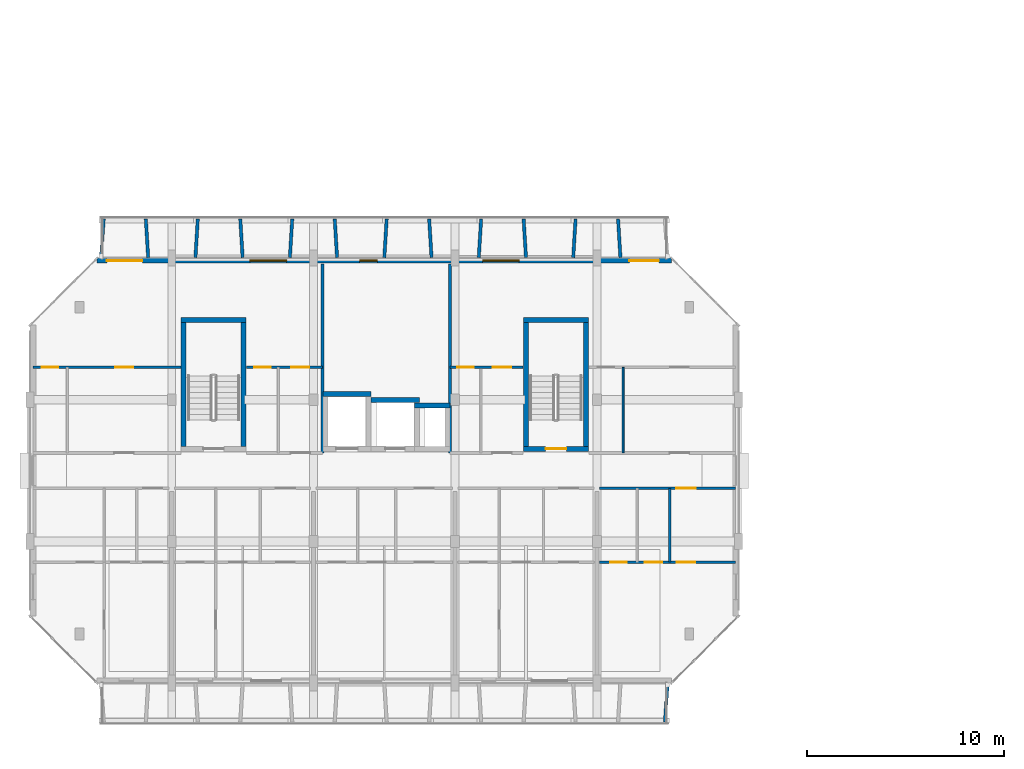
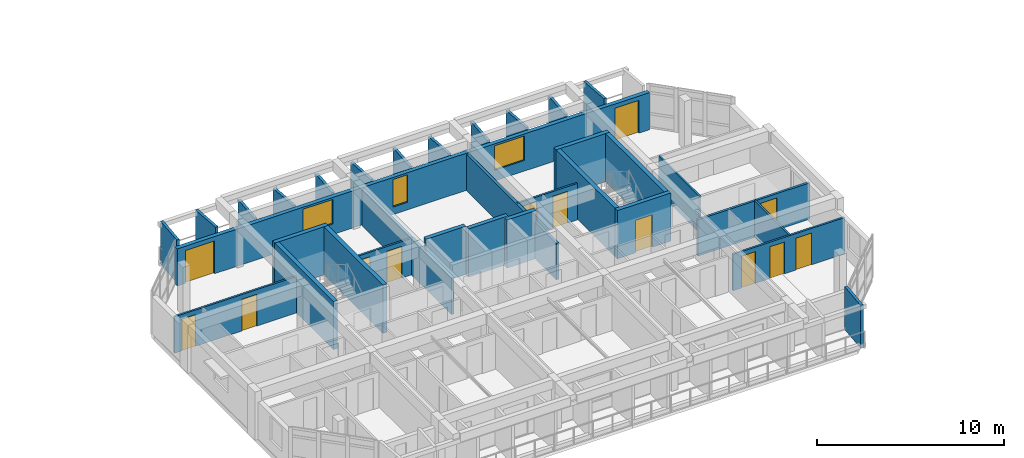
# One storey, part 19 of 46: 33 walls, 13 doors, 3 windows, 16 openings.
"""IFC4 building model written with IfcOpenShell, lengths in metres."""

from ifc_helpers import new_model, si_unit, direction, frame, frame_2d, origin, place, context, subcontext, project, spatial, rectangle, extrude, material, layer, layer_set, type_object, element, fill, save


model = new_model("IFC4")

# Units and contexts
model_context = context("Model", 3, precision=1e-05, world=origin(), true_north=direction((0.0, 1.0)))
body_context = subcontext(model_context, "Body", "Model", "MODEL_VIEW")
ifc_project = project(units=[si_unit("LENGTHUNIT", "METRE"), si_unit("AREAUNIT", "SQUARE_METRE"), si_unit("VOLUMEUNIT", "CUBIC_METRE"), si_unit("PLANEANGLEUNIT", "RADIAN"), si_unit("MASSUNIT", "GRAM", prefix="KILO")], contexts=[model_context])

# Site, building, storey
site_placement = place(None, origin())
site = spatial("IfcSite", under=ifc_project, at=site_placement, CompositionType="ELEMENT")
building_placement = place(site_placement, origin())
building = spatial("IfcBuilding", under=site, at=building_placement, Name="Ochrevale Crest", CompositionType="ELEMENT")
storey_placement = place(building_placement, frame((0.0, 0.0, 24.449951171875)))
storey = spatial("IfcBuildingStorey", under=building, at=storey_placement, Name="L07", CompositionType="ELEMENT", Elevation=24.449951171875)

# Wall, opening, door
ifc_material_1 = material(Name="Gypsum plasterboard", Category="gypsum")
ifc_layer_1 = layer(ifc_material_1, 0.139892578125)
ifc_layer_set_1 = layer_set([ifc_layer_1], Name="Gypsum plasterboard")
wall_type_1 = type_object("IfcWallType", Name="WL-COR-140", PredefinedType="PARTITIONING", material=ifc_layer_set_1)
wall_1_placement = place(storey_placement, frame((28.93994140625, 24.300048828125, 0.0), z_axis=(0.0, 0.0, 1.0), x_axis=(1.0, 0.0, 0.0)))
wall_1 = element("IfcWall", 1, at=wall_1_placement, inside=storey, type_object=wall_type_1, Name="Apartment A-L07-U5 corridor wall", PredefinedType="PARTITIONING", context=body_context, shape_type="SweptSolid", body=[
    extrude(rectangle(XDim=6.920166015625, YDim=0.139892578125, at=frame_2d((3.4599609375, 0.0))), origin(), (0.0, 0.0, 1.0), 2.380126953125),
])
opening_1_placement = place(wall_1_placement, frame((4.875, 0.0, 0.0), z_axis=(0.0, 0.0, 1.0), x_axis=(-1.0, 0.0, 0.0)))
opening_1 = element("IfcOpeningElement", 2, at=opening_1_placement, cuts=wall_1, Name="Opening FD01", PredefinedType="OPENING", context=body_context, shape_type="SweptSolid", body=[
    extrude(rectangle(XDim=0.97998046875, YDim=2.10009765625, at=frame_2d((0.489990234375, 1.050048828125))), frame((0.0, 0.080078125, 0.0), z_axis=(0.0, -1.0, 0.0), x_axis=(1.0, 0.0, 0.0)), (0.0, 0.0, 1.0), 0.159912109375),
])
ifc_material_2 = material(Name="Solid-core FSC hardwood", Category="wood")
door_type_1 = type_object("IfcDoorType", Name="DR-APT-950", OperationType="NOTDEFINED", PredefinedType="DOOR", material=ifc_material_2)
door_1_placement = place(opening_1_placement, origin())
door_1 = element("IfcDoor", 3, at=door_1_placement, inside=storey, type_object=door_type_1, Name="Apartment A-L07-U5 entrance door", OperationType="SINGLE_SWING_RIGHT", OverallHeight=2.10009765625, OverallWidth=0.97998046875, PredefinedType="DOOR", context=body_context, shape_type="SweptSolid", body=[
    extrude(rectangle(XDim=0.97998046875, YDim=2.10009765625, at=frame_2d((0.489990234375, 1.050048828125))), frame((0.0, 0.02490234375, 0.0), z_axis=(0.0, -1.0, 0.0), x_axis=(1.0, 0.0, 0.0)), (0.0, 0.0, 1.0), 0.050048828125),
])
fill(opening_1, door_1)

# Walls
ifc_material_3 = material(Name="Precast concrete C50/60", Category="concrete")
ifc_layer_2 = layer(ifc_material_3, 0.2548828125)
ifc_layer_set_2 = layer_set([ifc_layer_2], Name="Precast concrete C50/60")
wall_type_2 = type_object("IfcWallType", Name="WL-CORE-255", PredefinedType="SHEAR", material=ifc_layer_set_2)
wall_2_placement = place(storey_placement, frame((7.672607421875, 32.85009765625, 0.0), z_axis=(0.0, 0.0, 1.0), x_axis=(1.0, 0.0, 0.0)))
element("IfcWall", 4, at=wall_2_placement, inside=storey, type_object=wall_type_2, Name="Block A L07 Stair 1 precast core shear wall N", PredefinedType="SHEAR", context=body_context, shape_type="SweptSolid", body=[
    extrude(rectangle(XDim=3.304931640625, YDim=0.2548828125, at=frame_2d((1.65234375, 0.0))), origin(), (0.0, 0.0, 1.0), 3.150146484375),
])
for number, where, z_axis, x_axis, name in (
    (5, (7.800048828125, 26.427490234375, 0.0), (0.0, 0.0, 1.0), (0.0, 1.0, 0.0), "Block A L07 Stair 1 precast core shear wall W"),
    (6, (10.85009765625, 26.427490234375, 0.0), (0.0, 0.0, 1.0), (0.0, 1.0, 0.0), "Block A L07 Stair 1 precast core shear wall E"),
):
    element("IfcWall", number, at=place(storey_placement, frame(where, z_axis=z_axis, x_axis=x_axis)), inside=storey, type_object=wall_type_2, Name=name, PredefinedType="SHEAR", context=body_context, shape_type="SweptSolid", body=[
        extrude(rectangle(XDim=6.294921875, YDim=0.2548828125, at=frame_2d((3.1474609375, 0.0))), origin(), (0.0, 0.0, 1.0), 3.150146484375),
    ])

# Wall, opening, door
wall_3_placement = place(storey_placement, frame((25.072509765625, 26.300048828125, 0.0), z_axis=(0.0, 0.0, 1.0), x_axis=(1.0, 0.0, 0.0)))
wall_3 = element("IfcWall", 7, at=wall_3_placement, inside=storey, type_object=wall_type_2, Name="Block A L07 Stair 2 precast core shear wall S", PredefinedType="SHEAR", context=body_context, shape_type="SweptSolid", body=[
    extrude(rectangle(XDim=3.304931640625, YDim=0.2548828125, at=frame_2d((1.65234375, 0.0))), origin(), (0.0, 0.0, 1.0), 3.150146484375),
])
opening_2_placement = place(wall_3_placement, frame((1.12744140625, 0.0, 0.0)))
opening_2 = element("IfcOpeningElement", 8, at=opening_2_placement, cuts=wall_3, Name="Opening FD03", PredefinedType="OPENING", context=body_context, shape_type="SweptSolid", body=[
    extrude(rectangle(XDim=1.050048828125, YDim=2.1201171875, at=frame_2d((0.52490234375, 1.06005859375))), frame((0.0, 0.137451171875, 0.0), z_axis=(0.0, -1.0, 0.0), x_axis=(1.0, 0.0, 0.0)), (0.0, 0.0, 1.0), 0.27490234375),
])
door_type_2 = type_object("IfcDoorType", Name="DR-ST-1050", OperationType="NOTDEFINED", PredefinedType="DOOR", material=ifc_material_2)
door_2_placement = place(opening_2_placement, origin())
door_2 = element("IfcDoor", 9, at=door_2_placement, inside=storey, type_object=door_type_2, Name="Block A L07 fire stair 2 door", OperationType="SINGLE_SWING_LEFT", OverallHeight=2.1201171875, OverallWidth=1.050048828125, PredefinedType="DOOR", context=body_context, shape_type="SweptSolid", body=[
    extrude(rectangle(XDim=1.050048828125, YDim=2.1201171875, at=frame_2d((0.52490234375, 1.06005859375))), frame((0.0, 0.02490234375, 0.0), z_axis=(0.0, -1.0, 0.0), x_axis=(1.0, 0.0, 0.0)), (0.0, 0.0, 1.0), 0.050048828125),
])
fill(opening_2, door_2)

# Walls
wall_4_placement = place(storey_placement, frame((25.072509765625, 32.85009765625, 0.0), z_axis=(0.0, 0.0, 1.0), x_axis=(1.0, 0.0, 0.0)))
element("IfcWall", 10, at=wall_4_placement, inside=storey, type_object=wall_type_2, Name="Block A L07 Stair 2 precast core shear wall N", PredefinedType="SHEAR", context=body_context, shape_type="SweptSolid", body=[
    extrude(rectangle(XDim=3.304931640625, YDim=0.2548828125, at=frame_2d((1.65234375, 0.0))), origin(), (0.0, 0.0, 1.0), 3.150146484375),
])
for number, where, z_axis, x_axis, name in (
    (11, (25.199951171875, 26.427490234375, 0.0), (0.0, 0.0, 1.0), (0.0, 1.0, 0.0), "Block A L07 Stair 2 precast core shear wall W"),
    (12, (28.25, 26.427490234375, 0.0), (0.0, 0.0, 1.0), (0.0, 1.0, 0.0), "Block A L07 Stair 2 precast core shear wall E"),
):
    element("IfcWall", number, at=place(storey_placement, frame(where, z_axis=z_axis, x_axis=x_axis)), inside=storey, type_object=wall_type_2, Name=name, PredefinedType="SHEAR", context=body_context, shape_type="SweptSolid", body=[
        extrude(rectangle(XDim=6.294921875, YDim=0.2548828125, at=frame_2d((3.1474609375, 0.0))), origin(), (0.0, 0.0, 1.0), 3.150146484375),
    ])
wall_5_placement = place(storey_placement, frame((14.87255859375, 29.10009765625, 0.0), z_axis=(0.0, 0.0, 1.0), x_axis=(1.0, 0.0, 0.0)))
element("IfcWall", 13, at=wall_5_placement, inside=storey, type_object=wall_type_2, Name="Block A L07 Lift 1 precast shaft shear wall N", PredefinedType="SHEAR", context=body_context, shape_type="SweptSolid", body=[
    extrude(rectangle(XDim=2.454833984375, YDim=0.2548828125, at=frame_2d((1.2275390625, 0.0))), origin(), (0.0, 0.0, 1.0), 3.150146484375),
])
wall_6_placement = place(storey_placement, frame((17.322509765625, 28.800048828125, 0.0), z_axis=(0.0, 0.0, 1.0), x_axis=(1.0, 0.0, 0.0)))
element("IfcWall", 14, at=wall_6_placement, inside=storey, type_object=wall_type_2, Name="Block A L07 Lift 2 precast shaft shear wall N", PredefinedType="SHEAR", context=body_context, shape_type="SweptSolid", body=[
    extrude(rectangle(XDim=2.455078125, YDim=0.2548828125, at=frame_2d((1.2275390625, 0.0))), origin(), (0.0, 0.0, 1.0), 3.150146484375),
])
wall_7_placement = place(storey_placement, frame((19.5224609375, 28.5, 0.0), z_axis=(0.0, 0.0, 1.0), x_axis=(1.0, 0.0, 0.0)))
element("IfcWall", 15, at=wall_7_placement, inside=storey, type_object=wall_type_2, Name="Block A L07 services riser shaft core wall N", PredefinedType="SHEAR", context=body_context, shape_type="SweptSolid", body=[
    extrude(rectangle(XDim=1.804931640625, YDim=0.2548828125, at=frame_2d((0.90234375, 0.0))), origin(), (0.0, 0.0, 1.0), 3.150146484375),
])

# Wall, openings, doors, windows
ifc_material_4 = material(Name="Precast concrete C40/50", Category="concrete")
ifc_layer_3 = layer(ifc_material_4, 0.25)
ifc_layer_set_3 = layer_set([ifc_layer_3], Name="Precast concrete C40/50")
wall_type_3 = type_object("IfcWallType", Name="WL-EXT-GOLD-250", PredefinedType="SOLIDWALL", material=ifc_layer_set_3)
wall_8_placement = place(storey_placement, frame((32.60009765625, 35.875, 0.0), z_axis=(0.0, 0.0, 1.0), x_axis=(-1.0, 0.0, 0.0)))
wall_8 = element("IfcWall", 16, at=wall_8_placement, inside=storey, type_object=wall_type_3, Name="Block A L07 external facade wall E5", PredefinedType="SOLIDWALL", context=body_context, shape_type="SweptSolid", body=[
    extrude(rectangle(XDim=29.2001953125, YDim=0.25, at=frame_2d((14.60009765625, 0.0))), origin(), (0.0, 0.0, 1.0), 2.429931640625),
])
opening_3_placement = place(wall_8_placement, frame((28.699951171875, 0.0, 0.0), z_axis=(0.0, 0.0, 1.0), x_axis=(-1.0, 0.0, 0.0)))
opening_3 = element("IfcOpeningElement", 17, at=opening_3_placement, cuts=wall_8, Name="Opening BD03", PredefinedType="OPENING", context=body_context, shape_type="SweptSolid", body=[
    extrude(rectangle(XDim=1.800048828125, YDim=2.14990234375, at=frame_2d((0.89990234375, 1.074951171875))), frame((0.0, 0.135009765625, 0.0), z_axis=(0.0, -1.0, 0.0), x_axis=(1.0, 0.0, 0.0)), (0.0, 0.0, 1.0), 0.27001953125),
])
opening_4_placement = place(wall_8_placement, frame((2.14990234375, 0.0, 0.0), z_axis=(0.0, 0.0, 1.0), x_axis=(-1.0, 0.0, 0.0)))
opening_4 = element("IfcOpeningElement", 18, at=opening_4_placement, cuts=wall_8, Name="Opening BD01", PredefinedType="OPENING", context=body_context, shape_type="SweptSolid", body=[
    extrude(rectangle(XDim=1.5, YDim=2.14990234375, at=frame_2d((0.75, 1.074951171875))), frame((0.0, 0.135009765625, 0.0), z_axis=(0.0, -1.0, 0.0), x_axis=(1.0, 0.0, 0.0)), (0.0, 0.0, 1.0), 0.27001953125),
])
opening_5_placement = place(wall_8_placement, frame((14.955078125, 0.0, 0.5)))
opening_5 = element("IfcOpeningElement", 19, at=opening_5_placement, cuts=wall_8, Name="Opening W17", PredefinedType="OPENING", context=body_context, shape_type="SweptSolid", body=[
    extrude(rectangle(XDim=0.89990234375, YDim=1.800048828125, at=frame_2d((0.449951171875, 0.89990234375))), frame((0.0, 0.135009765625, 0.0), z_axis=(0.0, -1.0, 0.0), x_axis=(1.0, 0.0, 0.0)), (0.0, 0.0, 1.0), 0.27001953125),
])
opening_6_placement = place(wall_8_placement, frame((7.7451171875, 0.0, 0.699951171875)))
opening_6 = element("IfcOpeningElement", 20, at=opening_6_placement, cuts=wall_8, Name="Opening W11", PredefinedType="OPENING", context=body_context, shape_type="SweptSolid", body=[
    extrude(rectangle(XDim=1.860107421875, YDim=1.60009765625, at=frame_2d((0.93017578125, 0.800048828125))), frame((0.0, 0.135009765625, 0.0), z_axis=(0.0, -1.0, 0.0), x_axis=(1.0, 0.0, 0.0)), (0.0, 0.0, 1.0), 0.27001953125),
])
opening_7_placement = place(wall_8_placement, frame((19.570068359375, 0.0, 0.699951171875)))
opening_7 = element("IfcOpeningElement", 21, at=opening_7_placement, cuts=wall_8, Name="Opening W11", PredefinedType="OPENING", context=body_context, shape_type="SweptSolid", body=[
    extrude(rectangle(XDim=1.860107421875, YDim=1.60009765625, at=frame_2d((0.93017578125, 0.800048828125))), frame((0.0, 0.135009765625, 0.0), z_axis=(0.0, -1.0, 0.0), x_axis=(1.0, 0.0, 0.0)), (0.0, 0.0, 1.0), 0.27001953125),
])
ifc_material_5 = material(Name="Anodised aluminium 6063-T5 and toughened glass", Category="aluminium")
door_type_3 = type_object("IfcDoorType", Name="DR-BAL-1500", OperationType="NOTDEFINED", PredefinedType="DOOR", material=ifc_material_5)
door_3_placement = place(opening_4_placement, origin())
door_3 = element("IfcDoor", 22, at=door_3_placement, inside=storey, type_object=door_type_3, Name="Block A L07 balcony door N5", OperationType="SINGLE_SWING_RIGHT", OverallHeight=2.14990234375, OverallWidth=1.5, PredefinedType="DOOR", context=body_context, shape_type="SweptSolid", body=[
    extrude(rectangle(XDim=1.5, YDim=2.14990234375, at=frame_2d((0.75, 1.074951171875))), frame((0.0, 0.02490234375, 0.0), z_axis=(0.0, -1.0, 0.0), x_axis=(1.0, 0.0, 0.0)), (0.0, 0.0, 1.0), 0.050048828125),
])
fill(opening_4, door_3)
door_type_4 = type_object("IfcDoorType", Name="DR-BAL-1800", OperationType="NOTDEFINED", PredefinedType="DOOR", material=ifc_material_5)
door_4_placement = place(opening_3_placement, origin())
door_4 = element("IfcDoor", 23, at=door_4_placement, inside=storey, type_object=door_type_4, Name="Block A L07 balcony door N1", OperationType="SINGLE_SWING_LEFT", OverallHeight=2.14990234375, OverallWidth=1.800048828125, PredefinedType="DOOR", context=body_context, shape_type="SweptSolid", body=[
    extrude(rectangle(XDim=1.800048828125, YDim=2.14990234375, at=frame_2d((0.89990234375, 1.074951171875))), frame((0.0, 0.02490234375, 0.0), z_axis=(0.0, -1.0, 0.0), x_axis=(1.0, 0.0, 0.0)), (0.0, 0.0, 1.0), 0.050048828125),
])
fill(opening_3, door_4)
ifc_material_6 = material(Name="Anodised aluminium 6063-T5 and low-E double glazing", Category="aluminium")
window_type_1 = type_object("IfcWindowType", Name="WIN-W11", PartitioningType="SINGLE_PANEL", PredefinedType="WINDOW", material=ifc_material_6)
window_1_placement = place(opening_6_placement, origin())
window_1 = element("IfcWindow", 24, at=window_1_placement, inside=storey, type_object=window_type_1, Name="Block A L07 Suite A-L07-ME Garden Alcove Studio window", OverallHeight=1.60009765625, OverallWidth=1.860107421875, PartitioningType="SINGLE_PANEL", PredefinedType="WINDOW", context=body_context, shape_type="SweptSolid", body=[
    extrude(rectangle(XDim=1.860107421875, YDim=1.60009765625, at=frame_2d((0.93017578125, 0.800048828125))), frame((0.0, 0.030029296875, 0.0), z_axis=(0.0, -1.0, 0.0), x_axis=(1.0, 0.0, 0.0)), (0.0, 0.0, 1.0), 0.06005859375),
])
fill(opening_6, window_1)
window_2_placement = place(opening_7_placement, origin())
window_2 = element("IfcWindow", 25, at=window_2_placement, inside=storey, type_object=window_type_1, Name="Block A L07 Suite A-L07-MW Courtyard Studio Living window", OverallHeight=1.60009765625, OverallWidth=1.860107421875, PartitioningType="SINGLE_PANEL", PredefinedType="WINDOW", context=body_context, shape_type="SweptSolid", body=[
    extrude(rectangle(XDim=1.860107421875, YDim=1.60009765625, at=frame_2d((0.93017578125, 0.800048828125))), frame((0.0, 0.030029296875, 0.0), z_axis=(0.0, -1.0, 0.0), x_axis=(1.0, 0.0, 0.0)), (0.0, 0.0, 1.0), 0.06005859375),
])
fill(opening_7, window_2)
window_type_2 = type_object("IfcWindowType", Name="WIN-W17", PartitioningType="SINGLE_PANEL", PredefinedType="WINDOW", material=ifc_material_6)
window_3_placement = place(opening_5_placement, origin())
window_3 = element("IfcWindow", 26, at=window_3_placement, inside=storey, type_object=window_type_2, Name="Block A L07 core lancet window", OverallHeight=1.800048828125, OverallWidth=0.89990234375, PartitioningType="SINGLE_PANEL", PredefinedType="WINDOW", context=body_context, shape_type="SweptSolid", body=[
    extrude(rectangle(XDim=0.89990234375, YDim=1.800048828125, at=frame_2d((0.449951171875, 0.89990234375))), frame((0.0, 0.030029296875, 0.0), z_axis=(0.0, -1.0, 0.0), x_axis=(1.0, 0.0, 0.0)), (0.0, 0.0, 1.0), 0.06005859375),
])
fill(opening_5, window_3)

# Walls
ifc_layer_4 = layer(ifc_material_4, 0.1650390625)
ifc_layer_set_4 = layer_set([ifc_layer_4], Name="Precast concrete C40/50")
wall_type_4 = type_object("IfcWallType", Name="WL-HC-CHEEK-165", PredefinedType="ELEMENTEDWALL", material=ifc_layer_set_4)
for number, where, z_axis, x_axis, name in (
    (27, (32.39990234375, 14.3798828125, 0.0), (0.0, 0.0, 1.0), (-0.071194071069, -0.997462482625, 0.0), "Block A L07 S precast honeycomb cheek 13"),
    (28, (3.60009765625, 36.02001953125, 0.0), (0.0, 0.0, 1.0), (0.071194071069, 0.997462482625, 0.0), "Block A L07 N precast honeycomb cheek 1"),
):
    element("IfcWall", number, at=place(storey_placement, frame(where, z_axis=z_axis, x_axis=x_axis)), inside=storey, type_object=wall_type_4, Name=name, PredefinedType="ELEMENTEDWALL", context=body_context, shape_type="SweptSolid", body=[
        extrude(rectangle(XDim=1.96484375, YDim=0.1650390625, at=frame_2d((0.982421875, 0.0))), origin(), (0.0, 0.0, 1.0), 2.800048828125),
    ])
wall_9_placement = place(storey_placement, frame((6.0, 36.02001953125, 0.0), z_axis=(0.0, 0.0, 1.0), x_axis=(-0.061170732449, 0.998127317276, 0.0)))
element("IfcWall", 29, at=wall_9_placement, inside=storey, type_object=wall_type_4, Name="Block A L07 N precast honeycomb cheek 2", PredefinedType="ELEMENTEDWALL", context=body_context, shape_type="SweptSolid", body=[
    extrude(rectangle(XDim=1.963623046875, YDim=0.1650390625, at=frame_2d((0.98193359375, 0.0))), origin(), (0.0, 0.0, 1.0), 2.800048828125),
])
for number, where, z_axis, x_axis, name in (
    (30, (8.39990234375, 36.02001953125, 0.0), (0.0, 0.0, 1.0), (0.061170732449, 0.998127317276, 0.0), "Block A L07 N precast honeycomb cheek 3"),
    (31, (10.800048828125, 36.02001953125, 0.0), (0.0, 0.0, 1.0), (-0.061170732449, 0.998127317276, 0.0), "Block A L07 N precast honeycomb cheek 4"),
    (32, (13.199951171875, 36.02001953125, 0.0), (0.0, 0.0, 1.0), (0.061170732449, 0.998127317276, 0.0), "Block A L07 N precast honeycomb cheek 5"),
):
    element("IfcWall", number, at=place(storey_placement, frame(where, z_axis=z_axis, x_axis=x_axis)), inside=storey, type_object=wall_type_4, Name=name, PredefinedType="ELEMENTEDWALL", context=body_context, shape_type="SweptSolid", body=[
        extrude(rectangle(XDim=1.963623046875, YDim=0.1650390625, at=frame_2d((0.98193359375, 0.0))), origin(), (0.0, 0.0, 1.0), 2.530029296875),
    ])
for number, where, z_axis, x_axis, name in (
    (33, (15.60009765625, 36.02001953125, 0.0), (0.0, 0.0, 1.0), (-0.061170732449, 0.998127317276, 0.0), "Block A L07 N precast honeycomb cheek 6"),
    (34, (18.0, 36.02001953125, 0.0), (0.0, 0.0, 1.0), (0.061170732449, 0.998127317276, 0.0), "Block A L07 N precast honeycomb cheek 7"),
    (35, (20.39990234375, 36.02001953125, 0.0), (0.0, 0.0, 1.0), (-0.061046865508, 0.998134900808, 0.0), "Block A L07 N precast honeycomb cheek 8"),
):
    element("IfcWall", number, at=place(storey_placement, frame(where, z_axis=z_axis, x_axis=x_axis)), inside=storey, type_object=wall_type_4, Name=name, PredefinedType="ELEMENTEDWALL", context=body_context, shape_type="SweptSolid", body=[
        extrude(rectangle(XDim=1.963623046875, YDim=0.1650390625, at=frame_2d((0.98193359375, 0.0))), origin(), (0.0, 0.0, 1.0), 2.550048828125),
    ])
for number, where, z_axis, x_axis, name in (
    (36, (22.800048828125, 36.02001953125, 0.0), (0.0, 0.0, 1.0), (0.061046865508, 0.998134900808, 0.0), "Block A L07 N precast honeycomb cheek 9"),
    (37, (25.199951171875, 36.02001953125, 0.0), (0.0, 0.0, 1.0), (-0.061046865508, 0.998134900808, 0.0), "Block A L07 N precast honeycomb cheek 10"),
    (38, (27.60009765625, 36.02001953125, 0.0), (0.0, 0.0, 1.0), (0.061046865508, 0.998134900808, 0.0), "Block A L07 N precast honeycomb cheek 11"),
):
    element("IfcWall", number, at=place(storey_placement, frame(where, z_axis=z_axis, x_axis=x_axis)), inside=storey, type_object=wall_type_4, Name=name, PredefinedType="ELEMENTEDWALL", context=body_context, shape_type="SweptSolid", body=[
        extrude(rectangle(XDim=1.963623046875, YDim=0.1650390625, at=frame_2d((0.98193359375, 0.0))), origin(), (0.0, 0.0, 1.0), 2.580078125),
    ])
wall_10_placement = place(storey_placement, frame((30.0, 36.02001953125, 0.0), z_axis=(0.0, 0.0, 1.0), x_axis=(-0.061170732449, 0.998127317276, 0.0)))
element("IfcWall", 39, at=wall_10_placement, inside=storey, type_object=wall_type_4, Name="Block A L07 N precast honeycomb cheek 12", PredefinedType="ELEMENTEDWALL", context=body_context, shape_type="SweptSolid", body=[
    extrude(rectangle(XDim=1.963623046875, YDim=0.1650390625, at=frame_2d((0.98193359375, 0.0))), origin(), (0.0, 0.0, 1.0), 2.800048828125),
])
ifc_layer_5 = layer(ifc_material_1, 0.1201171875)
ifc_layer_set_5 = layer_set([ifc_layer_5], Name="Gypsum plasterboard")
wall_type_5 = type_object("IfcWallType", Name="WL-PART-120", PredefinedType="PARTITIONING", material=ifc_layer_set_5)
wall_11_placement = place(storey_placement, frame((32.5, 20.550048828125, 0.0), z_axis=(0.0, 0.0, 1.0), x_axis=(0.0, 1.0, 0.0)))
element("IfcWall", 40, at=wall_11_placement, inside=storey, type_object=wall_type_5, Name="Apartment A-L07-U5 kitchen-foyer wall", PredefinedType="PARTITIONING", context=body_context, shape_type="SweptSolid", body=[
    extrude(rectangle(XDim=3.75, YDim=0.1201171875, at=frame_2d((1.875, 0.0))), origin(), (0.0, 0.0, 1.0), 2.380126953125),
])

# Wall, openings, doors
wall_12_placement = place(storey_placement, frame((28.93994140625, 20.550048828125, 0.0), z_axis=(0.0, 0.0, 1.0), x_axis=(1.0, 0.0, 0.0)))
wall_12 = element("IfcWall", 41, at=wall_12_placement, inside=storey, type_object=wall_type_5, Name="Apartment A-L07-U5 central partition", PredefinedType="PARTITIONING", context=body_context, shape_type="SweptSolid", body=[
    extrude(rectangle(XDim=6.920166015625, YDim=0.1201171875, at=frame_2d((3.4599609375, 0.0))), origin(), (0.0, 0.0, 1.0), 2.380126953125),
])
opening_8_placement = place(wall_12_placement, frame((0.530029296875, 0.0, 0.0)))
opening_8 = element("IfcOpeningElement", 42, at=opening_8_placement, cuts=wall_12, Name="Opening ID01", PredefinedType="OPENING", context=body_context, shape_type="SweptSolid", body=[
    extrude(rectangle(XDim=0.85009765625, YDim=2.080078125, at=frame_2d((0.425048828125, 1.0400390625))), frame((0.0, 0.070068359375, 0.0), z_axis=(0.0, -1.0, 0.0), x_axis=(1.0, 0.0, 0.0)), (0.0, 0.0, 1.0), 0.14013671875),
])
opening_9_placement = place(wall_12_placement, frame((3.184814453125, 0.0, 0.0), z_axis=(0.0, 0.0, 1.0), x_axis=(-1.0, 0.0, 0.0)))
opening_9 = element("IfcOpeningElement", 43, at=opening_9_placement, cuts=wall_12, Name="Opening ID02", PredefinedType="OPENING", context=body_context, shape_type="SweptSolid", body=[
    extrude(rectangle(XDim=0.89990234375, YDim=2.080078125, at=frame_2d((0.449951171875, 1.0400390625))), frame((0.0, 0.070068359375, 0.0), z_axis=(0.0, -1.0, 0.0), x_axis=(1.0, 0.0, 0.0)), (0.0, 0.0, 1.0), 0.14013671875),
])
opening_10_placement = place(wall_12_placement, frame((3.909912109375, 0.0, 0.0)))
opening_10 = element("IfcOpeningElement", 44, at=opening_10_placement, cuts=wall_12, Name="Opening ID06", PredefinedType="OPENING", context=body_context, shape_type="SweptSolid", body=[
    extrude(rectangle(XDim=0.949951171875, YDim=2.080078125, at=frame_2d((0.47509765625, 1.0400390625))), frame((0.0, 0.070068359375, 0.0), z_axis=(0.0, -1.0, 0.0), x_axis=(1.0, 0.0, 0.0)), (0.0, 0.0, 1.0), 0.14013671875),
])
door_type_5 = type_object("IfcDoorType", Name="DR-INT-900", OperationType="NOTDEFINED", PredefinedType="DOOR", material=ifc_material_2)
door_5_placement = place(opening_9_placement, origin())
door_5 = element("IfcDoor", 45, at=door_5_placement, inside=storey, type_object=door_type_5, Name="Apartment A-L07-U5 Kitchen door", OperationType="SINGLE_SWING_RIGHT", OverallHeight=2.080078125, OverallWidth=0.89990234375, PredefinedType="DOOR", context=body_context, shape_type="SweptSolid", body=[
    extrude(rectangle(XDim=0.89990234375, YDim=2.080078125, at=frame_2d((0.449951171875, 1.0400390625))), frame((0.0, 0.02490234375, 0.0), z_axis=(0.0, -1.0, 0.0), x_axis=(1.0, 0.0, 0.0)), (0.0, 0.0, 1.0), 0.050048828125),
])
fill(opening_9, door_5)
door_type_6 = type_object("IfcDoorType", Name="DR-INT-950", OperationType="NOTDEFINED", PredefinedType="DOOR", material=ifc_material_2)
door_6_placement = place(opening_10_placement, origin())
door_6 = element("IfcDoor", 46, at=door_6_placement, inside=storey, type_object=door_type_6, Name="Apartment A-L07-U5 Living Foyer door", OperationType="SINGLE_SWING_LEFT", OverallHeight=2.080078125, OverallWidth=0.949951171875, PredefinedType="DOOR", context=body_context, shape_type="SweptSolid", body=[
    extrude(rectangle(XDim=0.949951171875, YDim=2.080078125, at=frame_2d((0.47509765625, 1.0400390625))), frame((0.0, 0.02490234375, 0.0), z_axis=(0.0, -1.0, 0.0), x_axis=(1.0, 0.0, 0.0)), (0.0, 0.0, 1.0), 0.050048828125),
])
fill(opening_10, door_6)
door_type_7 = type_object("IfcDoorType", Name="DR-WC-850", OperationType="NOTDEFINED", PredefinedType="DOOR", material=ifc_material_2)
door_7_placement = place(opening_8_placement, origin())
door_7 = element("IfcDoor", 47, at=door_7_placement, inside=storey, type_object=door_type_7, Name="Apartment A-L07-U5 Bathroom door", OperationType="SINGLE_SWING_LEFT", OverallHeight=2.080078125, OverallWidth=0.85009765625, PredefinedType="DOOR", context=body_context, shape_type="SweptSolid", body=[
    extrude(rectangle(XDim=0.85009765625, YDim=2.080078125, at=frame_2d((0.425048828125, 1.0400390625))), frame((0.0, 0.02490234375, 0.0), z_axis=(0.0, -1.0, 0.0), x_axis=(1.0, 0.0, 0.0)), (0.0, 0.0, 1.0), 0.050048828125),
])
fill(opening_8, door_7)

wall_13_placement = place(storey_placement, frame((0.139892578125, 30.449951171875, 0.0), z_axis=(0.0, 0.0, 1.0), x_axis=(1.0, 0.0, 0.0)))
wall_13 = element("IfcWall", 48, at=wall_13_placement, inside=storey, type_object=wall_type_5, Name="Suite A-L07-CW internal wall", PredefinedType="PARTITIONING", context=body_context, shape_type="SweptSolid", body=[
    extrude(rectangle(XDim=7.52001953125, YDim=0.1201171875, at=frame_2d((3.760009765625, 0.0))), origin(), (0.0, 0.0, 1.0), 2.380126953125),
])
opening_11_placement = place(wall_13_placement, frame((0.449951171875, 0.0, 0.0)))
opening_11 = element("IfcOpeningElement", 49, at=opening_11_placement, cuts=wall_13, Name="Opening ID01", PredefinedType="OPENING", context=body_context, shape_type="SweptSolid", body=[
    extrude(rectangle(XDim=0.85009765625, YDim=2.080078125, at=frame_2d((0.425048828125, 1.0400390625))), frame((0.0, 0.070068359375, 0.0), z_axis=(0.0, -1.0, 0.0), x_axis=(1.0, 0.0, 0.0)), (0.0, 0.0, 1.0), 0.14013671875),
])
opening_12_placement = place(wall_13_placement, frame((5.094970703125, 0.0, 0.0), z_axis=(0.0, 0.0, 1.0), x_axis=(-1.0, 0.0, 0.0)))
opening_12 = element("IfcOpeningElement", 50, at=opening_12_placement, cuts=wall_13, Name="Opening ID04", PredefinedType="OPENING", context=body_context, shape_type="SweptSolid", body=[
    extrude(rectangle(XDim=0.919921875, YDim=2.080078125, at=frame_2d((0.4599609375, 1.0400390625))), frame((0.0, 0.070068359375, 0.0), z_axis=(0.0, -1.0, 0.0), x_axis=(1.0, 0.0, 0.0)), (0.0, 0.0, 1.0), 0.14013671875),
])
door_type_8 = type_object("IfcDoorType", Name="DR-INT-920", OperationType="NOTDEFINED", PredefinedType="DOOR", material=ifc_material_2)
door_8_placement = place(opening_12_placement, origin())
door_8 = element("IfcDoor", 51, at=door_8_placement, inside=storey, type_object=door_type_8, Name="Suite A-L07-CW Quiet Reading Room door", OperationType="SINGLE_SWING_RIGHT", OverallHeight=2.080078125, OverallWidth=0.919921875, PredefinedType="DOOR", context=body_context, shape_type="SweptSolid", body=[
    extrude(rectangle(XDim=0.919921875, YDim=2.080078125, at=frame_2d((0.4599609375, 1.0400390625))), frame((0.0, 0.02490234375, 0.0), z_axis=(0.0, -1.0, 0.0), x_axis=(1.0, 0.0, 0.0)), (0.0, 0.0, 1.0), 0.050048828125),
])
fill(opening_12, door_8)
door_9_placement = place(opening_11_placement, origin())
door_9 = element("IfcDoor", 52, at=door_9_placement, inside=storey, type_object=door_type_7, Name="Suite A-L07-CW Bathroom door", OperationType="SINGLE_SWING_LEFT", OverallHeight=2.080078125, OverallWidth=0.85009765625, PredefinedType="DOOR", context=body_context, shape_type="SweptSolid", body=[
    extrude(rectangle(XDim=0.85009765625, YDim=2.080078125, at=frame_2d((0.425048828125, 1.0400390625))), frame((0.0, 0.02490234375, 0.0), z_axis=(0.0, -1.0, 0.0), x_axis=(1.0, 0.0, 0.0)), (0.0, 0.0, 1.0), 0.050048828125),
])
fill(opening_11, door_9)

wall_14_placement = place(storey_placement, frame((10.989990234375, 30.449951171875, 0.0), z_axis=(0.0, 0.0, 1.0), x_axis=(1.0, 0.0, 0.0)))
wall_14 = element("IfcWall", 53, at=wall_14_placement, inside=storey, type_object=wall_type_5, Name="Suite A-L07-MW internal wall", PredefinedType="PARTITIONING", context=body_context, shape_type="SweptSolid", body=[
    extrude(rectangle(XDim=3.8701171875, YDim=0.1201171875, at=frame_2d((1.93505859375, 0.0))), origin(), (0.0, 0.0, 1.0), 2.380126953125),
])
opening_13_placement = place(wall_14_placement, frame((1.23779296875, 0.0, 0.0), z_axis=(0.0, 0.0, 1.0), x_axis=(-1.0, 0.0, 0.0)))
opening_13 = element("IfcOpeningElement", 54, at=opening_13_placement, cuts=wall_14, Name="Opening ID01", PredefinedType="OPENING", context=body_context, shape_type="SweptSolid", body=[
    extrude(rectangle(XDim=0.85009765625, YDim=2.080078125, at=frame_2d((0.425048828125, 1.0400390625))), frame((0.0, 0.070068359375, 0.0), z_axis=(0.0, -1.0, 0.0), x_axis=(1.0, 0.0, 0.0)), (0.0, 0.0, 1.0), 0.14013671875),
])
opening_14_placement = place(wall_14_placement, frame((2.28759765625, 0.0, 0.0)))
opening_14 = element("IfcOpeningElement", 55, at=opening_14_placement, cuts=wall_14, Name="Opening ID04", PredefinedType="OPENING", context=body_context, shape_type="SweptSolid", body=[
    extrude(rectangle(XDim=0.919921875, YDim=2.080078125, at=frame_2d((0.4599609375, 1.0400390625))), frame((0.0, 0.070068359375, 0.0), z_axis=(0.0, -1.0, 0.0), x_axis=(1.0, 0.0, 0.0)), (0.0, 0.0, 1.0), 0.14013671875),
])
door_10_placement = place(opening_14_placement, origin())
door_10 = element("IfcDoor", 56, at=door_10_placement, inside=storey, type_object=door_type_8, Name="Suite A-L07-MW Courtyard Studio Living door", OperationType="SINGLE_SWING_LEFT", OverallHeight=2.080078125, OverallWidth=0.919921875, PredefinedType="DOOR", context=body_context, shape_type="SweptSolid", body=[
    extrude(rectangle(XDim=0.919921875, YDim=2.080078125, at=frame_2d((0.4599609375, 1.0400390625))), frame((0.0, 0.02490234375, 0.0), z_axis=(0.0, -1.0, 0.0), x_axis=(1.0, 0.0, 0.0)), (0.0, 0.0, 1.0), 0.050048828125),
])
fill(opening_14, door_10)
door_11_placement = place(opening_13_placement, origin())
door_11 = element("IfcDoor", 57, at=door_11_placement, inside=storey, type_object=door_type_7, Name="Suite A-L07-MW Bathroom door", OperationType="SINGLE_SWING_RIGHT", OverallHeight=2.080078125, OverallWidth=0.85009765625, PredefinedType="DOOR", context=body_context, shape_type="SweptSolid", body=[
    extrude(rectangle(XDim=0.85009765625, YDim=2.080078125, at=frame_2d((0.425048828125, 1.0400390625))), frame((0.0, 0.02490234375, 0.0), z_axis=(0.0, -1.0, 0.0), x_axis=(1.0, 0.0, 0.0)), (0.0, 0.0, 1.0), 0.050048828125),
])
fill(opening_13, door_11)

wall_15_placement = place(storey_placement, frame((21.340087890625, 30.449951171875, 0.0), z_axis=(0.0, 0.0, 1.0), x_axis=(1.0, 0.0, 0.0)))
wall_15 = element("IfcWall", 58, at=wall_15_placement, inside=storey, type_object=wall_type_5, Name="Suite A-L07-ME internal wall", PredefinedType="PARTITIONING", context=body_context, shape_type="SweptSolid", body=[
    extrude(rectangle(XDim=3.719970703125, YDim=0.1201171875, at=frame_2d((1.85986328125, 0.0))), origin(), (0.0, 0.0, 1.0), 2.380126953125),
])
opening_15_placement = place(wall_15_placement, frame((0.356201171875, 0.0, 0.0)))
opening_15 = element("IfcOpeningElement", 59, at=opening_15_placement, cuts=wall_15, Name="Opening ID01", PredefinedType="OPENING", context=body_context, shape_type="SweptSolid", body=[
    extrude(rectangle(XDim=0.85009765625, YDim=2.080078125, at=frame_2d((0.425048828125, 1.0400390625))), frame((0.0, 0.070068359375, 0.0), z_axis=(0.0, -1.0, 0.0), x_axis=(1.0, 0.0, 0.0)), (0.0, 0.0, 1.0), 0.14013671875),
])
opening_16_placement = place(wall_15_placement, frame((3.10107421875, 0.0, 0.0), z_axis=(0.0, 0.0, 1.0), x_axis=(-1.0, 0.0, 0.0)))
opening_16 = element("IfcOpeningElement", 60, at=opening_16_placement, cuts=wall_15, Name="Opening ID04", PredefinedType="OPENING", context=body_context, shape_type="SweptSolid", body=[
    extrude(rectangle(XDim=0.919921875, YDim=2.080078125, at=frame_2d((0.4599609375, 1.0400390625))), frame((0.0, 0.070068359375, 0.0), z_axis=(0.0, -1.0, 0.0), x_axis=(1.0, 0.0, 0.0)), (0.0, 0.0, 1.0), 0.14013671875),
])
door_12_placement = place(opening_16_placement, origin())
door_12 = element("IfcDoor", 61, at=door_12_placement, inside=storey, type_object=door_type_8, Name="Suite A-L07-ME Garden Alcove Studio door", OperationType="SINGLE_SWING_RIGHT", OverallHeight=2.080078125, OverallWidth=0.919921875, PredefinedType="DOOR", context=body_context, shape_type="SweptSolid", body=[
    extrude(rectangle(XDim=0.919921875, YDim=2.080078125, at=frame_2d((0.4599609375, 1.0400390625))), frame((0.0, 0.02490234375, 0.0), z_axis=(0.0, -1.0, 0.0), x_axis=(1.0, 0.0, 0.0)), (0.0, 0.0, 1.0), 0.050048828125),
])
fill(opening_16, door_12)
door_13_placement = place(opening_15_placement, origin())
door_13 = element("IfcDoor", 62, at=door_13_placement, inside=storey, type_object=door_type_7, Name="Suite A-L07-ME Bathroom door", OperationType="SINGLE_SWING_LEFT", OverallHeight=2.080078125, OverallWidth=0.85009765625, PredefinedType="DOOR", context=body_context, shape_type="SweptSolid", body=[
    extrude(rectangle(XDim=0.85009765625, YDim=2.080078125, at=frame_2d((0.425048828125, 1.0400390625))), frame((0.0, 0.02490234375, 0.0), z_axis=(0.0, -1.0, 0.0), x_axis=(1.0, 0.0, 0.0)), (0.0, 0.0, 1.0), 0.050048828125),
])
fill(opening_15, door_13)

# Walls
ifc_layer_6 = layer(ifc_material_1, 0.169921875)
ifc_layer_set_6 = layer_set([ifc_layer_6], Name="Gypsum plasterboard")
wall_type_6 = type_object("IfcWallType", Name="WL-TEN-170", PredefinedType="PARTITIONING", material=ifc_layer_set_6)
for number, where, z_axis, x_axis, name in (
    (63, (14.860107421875, 26.10009765625, 0.0), (0.0, 0.0, 1.0), (0.0, 1.0, 0.0), "Suite A-L07-MW east party wall"),
    (64, (21.340087890625, 26.10009765625, 0.0), (0.0, 0.0, 1.0), (0.0, 1.0, 0.0), "Suite A-L07-ME west party wall"),
):
    element("IfcWall", number, at=place(storey_placement, frame(where, z_axis=z_axis, x_axis=x_axis)), inside=storey, type_object=wall_type_6, Name=name, PredefinedType="PARTITIONING", context=body_context, shape_type="SweptSolid", body=[
        extrude(rectangle(XDim=9.599853515625, YDim=0.169921875, at=frame_2d((4.7998046875, 0.0))), origin(), (0.0, 0.0, 1.0), 2.380126953125),
    ])
ifc_layer_7 = layer(ifc_material_1, 0.10009765625)
ifc_layer_set_7 = layer_set([ifc_layer_7], Name="Gypsum plasterboard")
wall_type_7 = type_object("IfcWallType", Name="WL-WET-100", PredefinedType="PARTITIONING", material=ifc_layer_set_7)
wall_16_placement = place(storey_placement, frame((30.139892578125, 26.10009765625, 0.0), z_axis=(0.0, 0.0, 1.0), x_axis=(0.0, 1.0, 0.0)))
element("IfcWall", 65, at=wall_16_placement, inside=storey, type_object=wall_type_7, Name="Suite A-L07-CE bathroom divider", PredefinedType="PARTITIONING", context=body_context, shape_type="SweptSolid", body=[
    extrude(rectangle(XDim=4.349853515625, YDim=0.10009765625, at=frame_2d((2.1748046875, 0.0))), origin(), (0.0, 0.0, 1.0), 2.380126953125),
])

save(model, "model.ifc")
